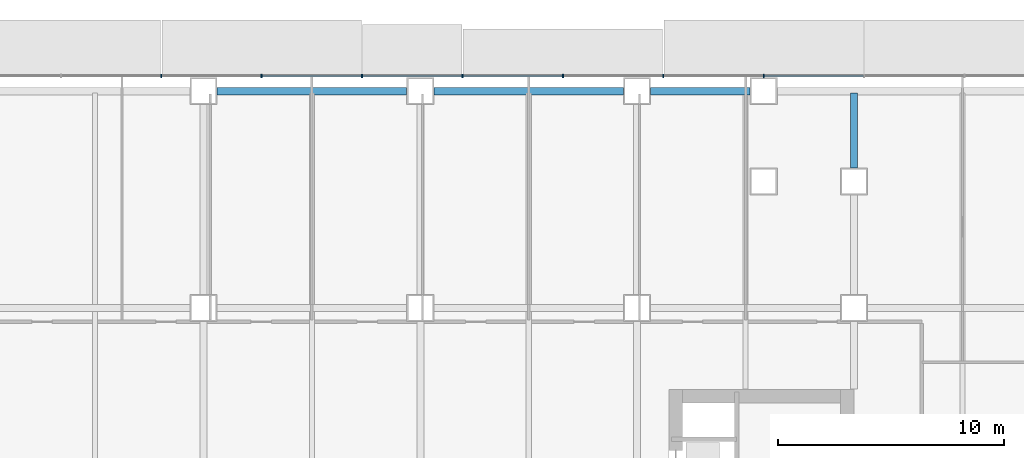
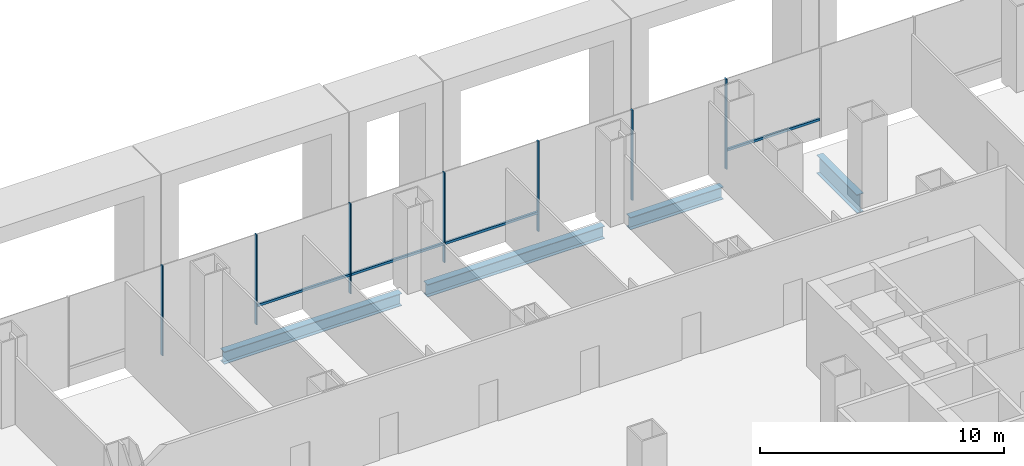
# One storey, part 9 of 23: 11 members, 4 beams, 1 element without a shape of its own.
"""IFC4 building model written with IfcOpenShell, lengths in metres."""

from ifc_helpers import new_model, si_unit, direction, frame, origin, origin_2d, place, context, subcontext, project, spatial, rectangle, i_section, extrude, material, material_profile, profile_set, type_object, element, aggregate, save


model = new_model("IFC4")

# Units and contexts
model_context = context("Model", 3, precision=1e-05, world=origin(), true_north=direction((0.0, 1.0)))
body_context = subcontext(model_context, "Body", "Model", "MODEL_VIEW")
ifc_project = project(units=[si_unit("LENGTHUNIT", "METRE"), si_unit("AREAUNIT", "SQUARE_METRE"), si_unit("VOLUMEUNIT", "CUBIC_METRE"), si_unit("PLANEANGLEUNIT", "RADIAN"), si_unit("MASSUNIT", "GRAM", prefix="KILO")], contexts=[model_context])

# Site, building, storey
site_placement = place(None, origin())
site = spatial("IfcSite", under=ifc_project, at=site_placement, CompositionType="ELEMENT")
building_placement = place(site_placement, origin())
building = spatial("IfcBuilding", under=site, at=building_placement, Name="Cobrizo Arcos Hotel Tower", CompositionType="ELEMENT")
storey_placement = place(building_placement, frame((0.0, 0.0, 15.5)))
storey = spatial("IfcBuildingStorey", under=building, at=storey_placement, Name="L02", CompositionType="ELEMENT", Elevation=15.5)

# Curtain wall, members
ifc_material_1 = material(Name="Aluminium 6063-T6 anodised bronze", Category="aluminium")
curtain_wall_type = type_object("IfcCurtainWallType", Name="CW-A guest facade", PredefinedType="NOTDEFINED", material=ifc_material_1)
curtain_wall_placement = place(storey_placement, origin())
curtain_wall = element("IfcCurtainWall", 1, at=curtain_wall_placement, inside=storey, type_object=curtain_wall_type, Name="CW-A L02 N face", PredefinedType="NOTDEFINED")
ifc_material_profile_1 = material_profile(ifc_material_1, rectangle(XDim=0.14990234375, YDim=0.06005859375, at=origin_2d()), Name="CW-A mullion 150x60")
ifc_profile_set_1 = profile_set([ifc_material_profile_1], Name="Aluminium 6063-T6 anodised bronze")
member_type_1 = type_object("IfcMemberType", Name="CW-A mullion 150x60", PredefinedType="MULLION", material=ifc_profile_set_1)
member_1_placement = place(storey_placement, frame((20.0, 24.675048828125, 0.0), z_axis=(0.0, 0.0, 1.0), x_axis=(0.0, 1.0, 0.0)))
member_1 = element("IfcMember", 2, at=member_1_placement, type_object=member_type_1, Name="CW-A mullion 5", PredefinedType="MULLION", context=body_context, shape_type="SweptSolid", body=[
    extrude(rectangle(XDim=0.14990234375, YDim=0.06005859375, at=origin_2d()), origin(), (0.0, 0.0, 1.0), 4.5),
])
member_2_placement = place(storey_placement, frame((15.5556640625, 24.675048828125, 0.0), z_axis=(0.0, 0.0, 1.0), x_axis=(0.0, 1.0, 0.0)))
member_2 = element("IfcMember", 3, at=member_2_placement, type_object=member_type_1, Name="CW-A mullion 6", PredefinedType="MULLION", context=body_context, shape_type="SweptSolid", body=[
    extrude(rectangle(XDim=0.14990234375, YDim=0.06005859375, at=origin_2d()), origin(), (0.0, 0.0, 1.0), 4.5),
])
member_3_placement = place(storey_placement, frame((11.111083984375, 24.675048828125, 0.0), z_axis=(0.0, 0.0, 1.0), x_axis=(0.0, 1.0, 0.0)))
member_3 = element("IfcMember", 4, at=member_3_placement, type_object=member_type_1, Name="CW-A mullion 7", PredefinedType="MULLION", context=body_context, shape_type="SweptSolid", body=[
    extrude(rectangle(XDim=0.14990234375, YDim=0.06005859375, at=origin_2d()), origin(), (0.0, 0.0, 1.0), 4.5),
])
member_4_placement = place(storey_placement, frame((6.666748046875, 24.675048828125, 0.0), z_axis=(0.0, 0.0, 1.0), x_axis=(0.0, 1.0, 0.0)))
member_4 = element("IfcMember", 5, at=member_4_placement, type_object=member_type_1, Name="CW-A mullion 8", PredefinedType="MULLION", context=body_context, shape_type="SweptSolid", body=[
    extrude(rectangle(XDim=0.14990234375, YDim=0.06005859375, at=origin_2d()), origin(), (0.0, 0.0, 1.0), 4.5),
])
member_5_placement = place(storey_placement, frame((2.22216796875, 24.675048828125, 0.0), z_axis=(0.0, 0.0, 1.0), x_axis=(0.0, 1.0, 0.0)))
member_5 = element("IfcMember", 6, at=member_5_placement, type_object=member_type_1, Name="CW-A mullion 9", PredefinedType="MULLION", context=body_context, shape_type="SweptSolid", body=[
    extrude(rectangle(XDim=0.14990234375, YDim=0.06005859375, at=origin_2d()), origin(), (0.0, 0.0, 1.0), 4.5),
])
member_6_placement = place(storey_placement, frame((-2.22216796875, 24.675048828125, 0.0), z_axis=(0.0, 0.0, 1.0), x_axis=(0.0, 1.0, 0.0)))
member_6 = element("IfcMember", 7, at=member_6_placement, type_object=member_type_1, Name="CW-A mullion 10", PredefinedType="MULLION", context=body_context, shape_type="SweptSolid", body=[
    extrude(rectangle(XDim=0.14990234375, YDim=0.06005859375, at=origin_2d()), origin(), (0.0, 0.0, 1.0), 4.5),
])
member_7_placement = place(storey_placement, frame((-6.666748046875, 24.675048828125, 0.0), z_axis=(0.0, 0.0, 1.0), x_axis=(0.0, 1.0, 0.0)))
member_7 = element("IfcMember", 8, at=member_7_placement, type_object=member_type_1, Name="CW-A mullion 11", PredefinedType="MULLION", context=body_context, shape_type="SweptSolid", body=[
    extrude(rectangle(XDim=0.14990234375, YDim=0.06005859375, at=origin_2d()), origin(), (0.0, 0.0, 1.0), 4.5),
])
ifc_material_profile_2 = material_profile(ifc_material_1, rectangle(XDim=0.10009765625, YDim=0.1201171875, at=origin_2d()), Name="CW-A transom 120x100")
ifc_profile_set_2 = profile_set([ifc_material_profile_2], Name="Aluminium 6063-T6 anodised bronze")
member_type_2 = type_object("IfcMemberType", Name="CW-A transom 120x100", PredefinedType="USERDEFINED", material=ifc_profile_set_2)
member_8_placement = place(storey_placement, frame((24.41455078125, 24.675048828125, 0.929931640625), z_axis=(-1.0, 0.0, 0.0), x_axis=(0.0, -1.0, 0.0)))
member_8 = element("IfcMember", 9, at=member_8_placement, type_object=member_type_2, Name="CW-A transom 120", ObjectType="TRANSOM", PredefinedType="USERDEFINED", context=body_context, shape_type="SweptSolid", body=[
    extrude(rectangle(XDim=0.10009765625, YDim=0.1201171875, at=origin_2d()), origin(), (0.0, 0.0, 1.0), 4.384521484375),
])
member_9_placement = place(storey_placement, frame((11.0810546875, 24.675048828125, 0.929931640625), z_axis=(-1.0, 0.0, 0.0), x_axis=(0.0, -1.0, 0.0)))
member_9 = element("IfcMember", 10, at=member_9_placement, type_object=member_type_2, Name="CW-A transom 123", ObjectType="TRANSOM", PredefinedType="USERDEFINED", context=body_context, shape_type="SweptSolid", body=[
    extrude(rectangle(XDim=0.10009765625, YDim=0.1201171875, at=origin_2d()), origin(), (0.0, 0.0, 1.0), 4.38427734375),
])
member_10_placement = place(storey_placement, frame((6.63671875, 24.675048828125, 0.929931640625), z_axis=(-1.0, 0.0, 0.0), x_axis=(0.0, -1.0, 0.0)))
member_10 = element("IfcMember", 11, at=member_10_placement, type_object=member_type_2, Name="CW-A transom 124", ObjectType="TRANSOM", PredefinedType="USERDEFINED", context=body_context, shape_type="SweptSolid", body=[
    extrude(rectangle(XDim=0.10009765625, YDim=0.1201171875, at=origin_2d()), origin(), (0.0, 0.0, 1.0), 4.384521484375),
])
member_11_placement = place(storey_placement, frame((2.192138671875, 24.675048828125, 0.929931640625), z_axis=(-1.0, 0.0, 0.0), x_axis=(0.0, -1.0, 0.0)))
member_11 = element("IfcMember", 12, at=member_11_placement, type_object=member_type_2, Name="CW-A transom 125", ObjectType="TRANSOM", PredefinedType="USERDEFINED", context=body_context, shape_type="SweptSolid", body=[
    extrude(rectangle(XDim=0.10009765625, YDim=0.1201171875, at=origin_2d()), origin(), (0.0, 0.0, 1.0), 4.38427734375),
])
aggregate(curtain_wall, [member_1, member_2, member_3, member_4, member_5, member_6, member_7, member_8, member_9, member_10, member_11])

# Beams
ifc_material_2 = material(Name="Steel ASTM A992 Grade 50", Category="steel")
ifc_material_profile_3 = material_profile(ifc_material_2, i_section(OverallWidth=0.32763671875, OverallDepth=0.622314453125, WebThickness=0.015380859375, FlangeThickness=0.0244140625, at=origin_2d()), Name="W24X131")
ifc_profile_set_3 = profile_set([ifc_material_profile_3], Name="Steel ASTM A992 Grade 50")
beam_type_1 = type_object("IfcBeamType", Name="W24X131 spandrel", PredefinedType="SPANDREL", material=ifc_profile_set_3)
beam_1_placement = place(storey_placement, frame((19.39990234375, 24.0, -0.510986328125), z_axis=(-1.0, 0.0, 0.0), x_axis=(0.0, -1.0, 0.0)))
element("IfcBeam", 13, at=beam_1_placement, inside=storey, type_object=beam_type_1, Name="Spandrel beam W24X131, L02, no. 002", PredefinedType="SPANDREL", context=body_context, shape_type="SweptSolid", body=[
    extrude(i_section(OverallWidth=0.32763671875, OverallDepth=0.622314453125, WebThickness=0.015380859375, FlangeThickness=0.0244140625, at=origin_2d()), origin(), (0.0, 0.0, 1.0), 4.39990234375),
])
beam_2_placement = place(storey_placement, frame((13.800048828125, 24.0, -0.510986328125), z_axis=(-1.0, 0.0, 0.0), x_axis=(0.0, -1.0, 0.0)))
element("IfcBeam", 14, at=beam_2_placement, inside=storey, type_object=beam_type_1, Name="Spandrel beam W24X131, L02, no. 003", PredefinedType="SPANDREL", context=body_context, shape_type="SweptSolid", body=[
    extrude(i_section(OverallWidth=0.32763671875, OverallDepth=0.622314453125, WebThickness=0.015380859375, FlangeThickness=0.0244140625, at=origin_2d()), origin(), (0.0, 0.0, 1.0), 8.400146484375),
])
beam_3_placement = place(storey_placement, frame((4.199951171875, 24.0, -0.510986328125), z_axis=(-1.0, 0.0, 0.0), x_axis=(0.0, -1.0, 0.0)))
element("IfcBeam", 15, at=beam_3_placement, inside=storey, type_object=beam_type_1, Name="Spandrel beam W24X131, L02, no. 004", PredefinedType="SPANDREL", context=body_context, shape_type="SweptSolid", body=[
    extrude(i_section(OverallWidth=0.32763671875, OverallDepth=0.622314453125, WebThickness=0.015380859375, FlangeThickness=0.0244140625, at=origin_2d()), origin(), (0.0, 0.0, 1.0), 8.39990234375),
])
ifc_material_profile_4 = material_profile(ifc_material_2, i_section(OverallWidth=0.307373046875, OverallDepth=0.927001953125, WebThickness=0.01953125, FlangeThickness=0.031982421875, at=origin_2d()), Name="W36X194")
ifc_profile_set_4 = profile_set([ifc_material_profile_4], Name="Steel ASTM A992 Grade 50")
beam_type_2 = type_object("IfcBeamType", Name="W36X194 podium girder", PredefinedType="BEAM", material=ifc_profile_set_4)
beam_4_placement = place(storey_placement, frame((24.0, 20.60009765625, -0.66357421875), z_axis=(0.0, 1.0, 0.0), x_axis=(-1.0, 0.0, 0.0)))
element("IfcBeam", 16, at=beam_4_placement, inside=storey, type_object=beam_type_2, Name="Podium girder PG1, L02, no. 071", PredefinedType="BEAM", context=body_context, shape_type="SweptSolid", body=[
    extrude(i_section(OverallWidth=0.307373046875, OverallDepth=0.927001953125, WebThickness=0.01953125, FlangeThickness=0.031982421875, at=origin_2d()), origin(), (0.0, 0.0, 1.0), 3.309814453125),
])

save(model, "model.ifc")
